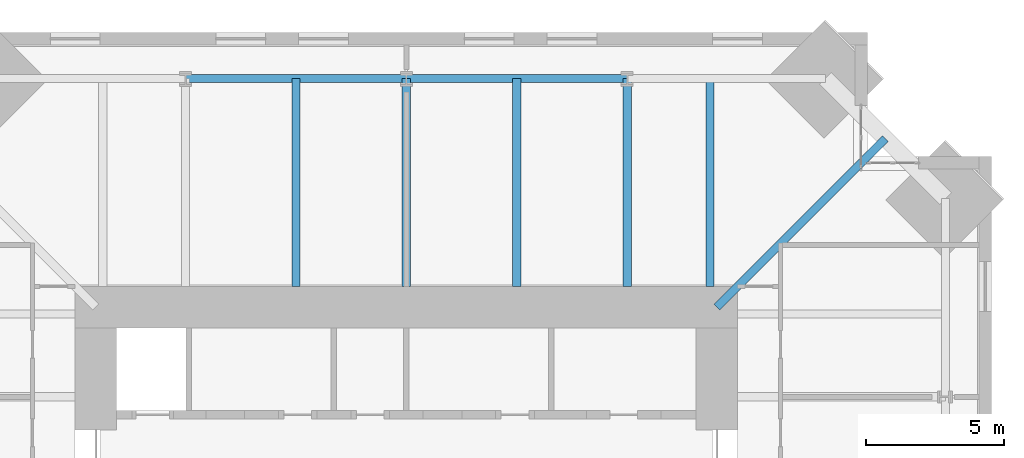
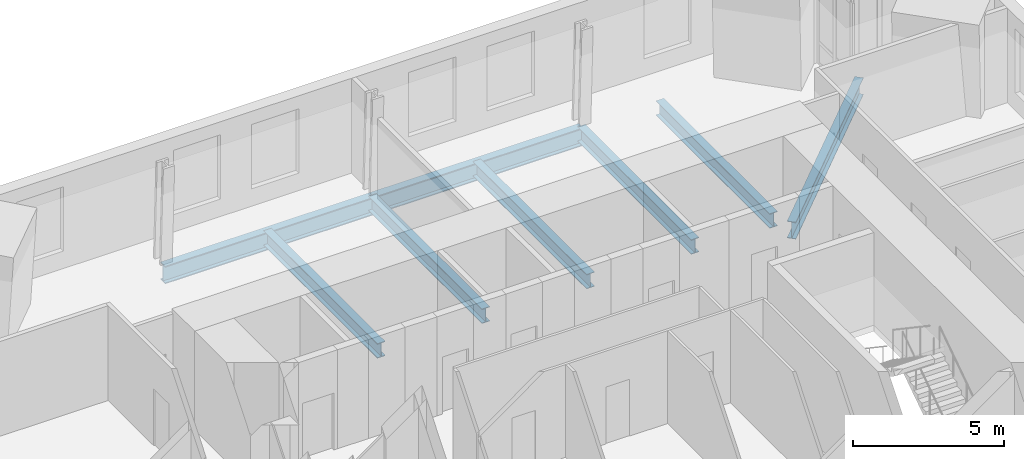
# One storey, part 7 of 15: 8 beams.
"""IFC4 building model written with IfcOpenShell, lengths in metres."""

from ifc_helpers import new_model, si_unit, direction, frame, origin, origin_2d, place, context, subcontext, project, spatial, i_section, extrude, material, material_profile, profile_set, type_object, element, save


model = new_model("IFC4")

# Units and contexts
model_context = context("Model", 3, precision=1e-05, world=origin(), true_north=direction((0.0, 1.0)))
body_context = subcontext(model_context, "Body", "Model", "MODEL_VIEW")
ifc_project = project(units=[si_unit("LENGTHUNIT", "METRE"), si_unit("AREAUNIT", "SQUARE_METRE"), si_unit("VOLUMEUNIT", "CUBIC_METRE"), si_unit("PLANEANGLEUNIT", "RADIAN"), si_unit("MASSUNIT", "GRAM", prefix="KILO")], contexts=[model_context])

# Site, building, storey
site_placement = place(None, origin())
site = spatial("IfcSite", under=ifc_project, at=site_placement, CompositionType="ELEMENT")
building_placement = place(site_placement, origin())
building = spatial("IfcBuilding", under=site, at=building_placement, Name="Peilmerk Tower", CompositionType="ELEMENT")
storey_placement = place(building_placement, frame((0.0, 0.0, 281.800048828125)))
storey = spatial("IfcBuildingStorey", under=building, at=storey_placement, Name="L63", CompositionType="ELEMENT", Elevation=281.800048828125)

# Beams
ifc_material = material(Name="Steel S355", Category="steel")
ifc_material_profile_1 = material_profile(ifc_material, i_section(OverallWidth=0.300048828125, OverallDepth=0.68994140625, WebThickness=0.014404296875, FlangeThickness=0.027099609375, at=origin_2d()), Name="HEA 700")
ifc_profile_set_1 = profile_set([ifc_material_profile_1], Name="Steel S355")
beam_type_1 = type_object("IfcBeamType", Name="B16 HEA 700 floor beam", PredefinedType="BEAM", material=ifc_profile_set_1)
beam_placement = place(storey_placement, frame((11.25, 11.25, -0.51513671875), z_axis=(0.707106781187, 0.707106781187, 0.0), x_axis=(-0.707106781187, 0.707106781187, 0.0)))
element("IfcBeam", 1, at=beam_placement, inside=storey, type_object=beam_type_1, Name="Corner girder L63", PredefinedType="BEAM", context=body_context, shape_type="SweptSolid", body=[
    extrude(i_section(OverallWidth=0.300048828125, OverallDepth=0.68994140625, WebThickness=0.014404296875, FlangeThickness=0.027099609375, at=origin_2d()), origin(), (0.0, 0.0, 1.0), 8.63916015625),
])
ifc_material_profile_2 = material_profile(ifc_material, i_section(OverallWidth=0.300048828125, OverallDepth=0.590087890625, WebThickness=0.012939453125, FlangeThickness=0.02490234375, at=origin_2d()), Name="HEA 600")
ifc_profile_set_2 = profile_set([ifc_material_profile_2], Name="Steel S355")
beam_type_2 = type_object("IfcBeamType", Name="B27 HEA 600 floor beam", PredefinedType="BEAM", material=ifc_profile_set_2)
for number, where, z_axis, x_axis, name in (
    (2, (11.0, 12.0, -0.465087890625), (0.0, 1.0, 0.0), (-1.0, 0.0, 0.0), "Floor beam L63"),
    (3, (8.0, 12.0, -0.465087890625), (0.0, 1.0, 0.0), (-1.0, 0.0, 0.0), "Floor beam L63"),
    (4, (4.0, 12.0, -0.465087890625), (0.0, 1.0, 0.0), (-1.0, 0.0, 0.0), "Floor beam L63"),
    (5, (0.0, 12.0, -0.465087890625), (0.0, 1.0, 0.0), (-1.0, 0.0, 0.0), "Floor beam L63"),
    (6, (-4.0, 12.0, -0.465087890625), (0.0, 1.0, 0.0), (-1.0, 0.0, 0.0), "Floor beam L63"),
):
    element("IfcBeam", number, at=place(storey_placement, frame(where, z_axis=z_axis, x_axis=x_axis)), inside=storey, type_object=beam_type_2, Name=name, PredefinedType="BEAM", context=body_context, shape_type="SweptSolid", body=[
        extrude(i_section(OverallWidth=0.300048828125, OverallDepth=0.590087890625, WebThickness=0.012939453125, FlangeThickness=0.02490234375, at=origin_2d()), origin(), (0.0, 0.0, 1.0), 7.533935546875),
    ])
ifc_material_profile_3 = material_profile(ifc_material, i_section(OverallWidth=0.303955078125, OverallDepth=0.716064453125, WebThickness=0.02099609375, FlangeThickness=0.0400390625, at=origin_2d()), Name="HEM 700")
ifc_profile_set_3 = profile_set([ifc_material_profile_3], Name="Steel S355")
beam_type_3 = type_object("IfcBeamType", Name="B30 HEM 700 edge beam", PredefinedType="SPANDREL", material=ifc_profile_set_3)
for number, where, z_axis, x_axis, name in (
    (7, (8.0, 19.533935546875, -0.528076171875), (-1.0, 0.0, 0.0), (0.0, -1.0, 0.0), "Edge beam L63"),
    (8, (0.0, 19.533935546875, -0.528076171875), (-1.0, 0.0, 0.0), (0.0, -1.0, 0.0), "Edge beam L63"),
):
    element("IfcBeam", number, at=place(storey_placement, frame(where, z_axis=z_axis, x_axis=x_axis)), inside=storey, type_object=beam_type_3, Name=name, PredefinedType="SPANDREL", context=body_context, shape_type="SweptSolid", body=[
        extrude(i_section(OverallWidth=0.303955078125, OverallDepth=0.716064453125, WebThickness=0.02099609375, FlangeThickness=0.0400390625, at=origin_2d()), origin(), (0.0, 0.0, 1.0), 8.0),
    ])

save(model, "model.ifc")
